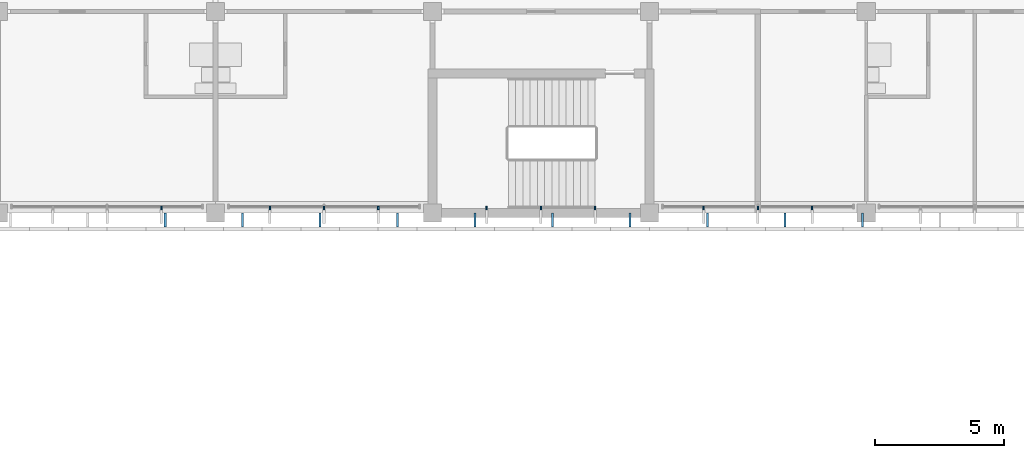
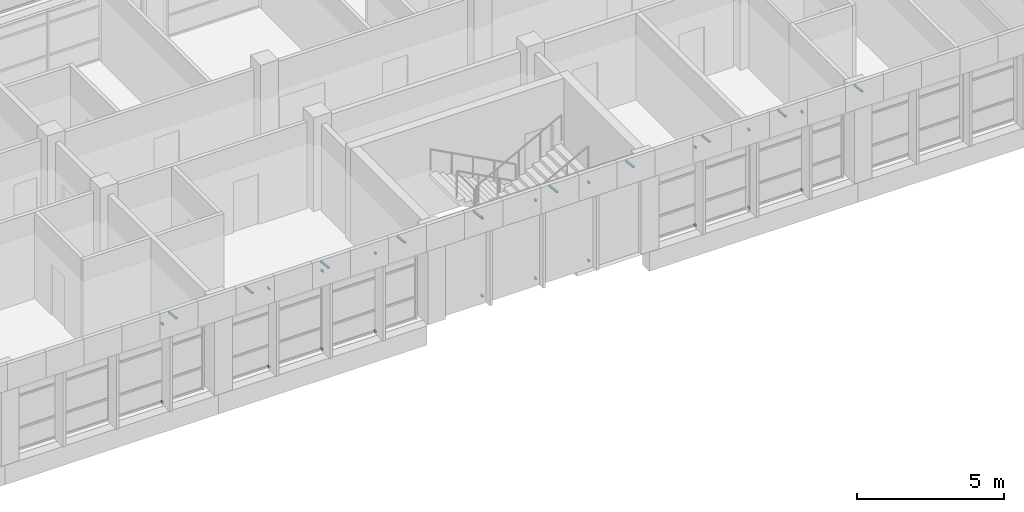
# One storey, part 55 of 74: 30 discrete accessories.
"""IFC4 building model written with IfcOpenShell, lengths in metres."""

from ifc_helpers import new_model, si_unit, direction, frame, origin, origin_2d, place, context, subcontext, project, spatial, rectangle, extrude, material, material_profile, profile_set, type_object, element, save


model = new_model("IFC4")

# Units and contexts
model_context = context("Model", 3, precision=1e-05, world=origin(), true_north=direction((0.0, 1.0)))
body_context = subcontext(model_context, "Body", "Model", "MODEL_VIEW")
ifc_project = project(units=[si_unit("LENGTHUNIT", "METRE"), si_unit("AREAUNIT", "SQUARE_METRE"), si_unit("VOLUMEUNIT", "CUBIC_METRE"), si_unit("PLANEANGLEUNIT", "RADIAN"), si_unit("MASSUNIT", "GRAM", prefix="KILO")], contexts=[model_context])

# Site, building, storey
site_placement = place(None, origin())
site = spatial("IfcSite", under=ifc_project, at=site_placement, CompositionType="ELEMENT")
building_placement = place(site_placement, origin())
building = spatial("IfcBuilding", under=site, at=building_placement, Name="Bougainvillea Quay General Hospital", CompositionType="ELEMENT")
storey_placement = place(building_placement, frame((0.0, 0.0, 21.0)))
storey = spatial("IfcBuildingStorey", under=building, at=storey_placement, Name="L04", CompositionType="ELEMENT", Elevation=21.0)

# Discrete accessories
ifc_material = material(Name="Stainless steel bracket, grade 316", Category="steel")
discrete_accessory_type_1 = type_object("IfcDiscreteAccessoryType", Name="Stainless steel fin arm 60x80", PredefinedType="BRACKET", material=ifc_material)
for number, where, z_axis, x_axis, name in (
    (1, (132.300048828125, 117.7900390625, 0.0), (0.0, 0.0, 1.0), (0.0, -1.0, 0.0), "Fin arm V5B L04 01.13B"),
    (2, (132.300048828125, 117.7900390625, 3.25), (0.0, 0.0, 1.0), (0.0, -1.0, 0.0), "Fin arm V5B L04 01.13T"),
    (3, (130.199951171875, 117.7900390625, 0.0), (0.0, 0.0, 1.0), (0.0, -1.0, 0.0), "Fin arm V5B L04 01.14B"),
    (4, (130.199951171875, 117.7900390625, 3.25), (0.0, 0.0, 1.0), (0.0, -1.0, 0.0), "Fin arm V5B L04 01.14T"),
    (5, (128.10009765625, 117.7900390625, 0.0), (0.0, 0.0, 1.0), (0.0, -1.0, 0.0), "Fin arm V5B L04 01.15B"),
    (6, (128.10009765625, 117.7900390625, 3.25), (0.0, 0.0, 1.0), (0.0, -1.0, 0.0), "Fin arm V5B L04 01.15T"),
    (7, (123.89990234375, 117.7900390625, 0.0), (0.0, 0.0, 1.0), (0.0, -1.0, 0.0), "Fin arm V5B L04 01.16B"),
    (8, (123.89990234375, 117.7900390625, 3.25), (0.0, 0.0, 1.0), (0.0, -1.0, 0.0), "Fin arm V5B L04 01.16T"),
    (9, (121.800048828125, 117.7900390625, 0.0), (0.0, 0.0, 1.0), (0.0, -1.0, 0.0), "Fin arm V5B L04 01.17B"),
    (10, (121.800048828125, 117.7900390625, 3.25), (0.0, 0.0, 1.0), (0.0, -1.0, 0.0), "Fin arm V5B L04 01.17T"),
    (11, (119.699951171875, 117.7900390625, 0.0), (0.0, 0.0, 1.0), (0.0, -1.0, 0.0), "Fin arm V5B L04 01.18B"),
    (12, (119.699951171875, 117.7900390625, 3.25), (0.0, 0.0, 1.0), (0.0, -1.0, 0.0), "Fin arm V5B L04 01.18T"),
    (13, (115.5, 117.7900390625, 0.0), (0.0, 0.0, 1.0), (0.0, -1.0, 0.0), "Fin arm V5B L04 01.19B"),
    (14, (115.5, 117.7900390625, 3.25), (0.0, 0.0, 1.0), (0.0, -1.0, 0.0), "Fin arm V5B L04 01.19T"),
    (15, (113.39990234375, 117.7900390625, 0.0), (0.0, 0.0, 1.0), (0.0, -1.0, 0.0), "Fin arm V5B L04 01.20B"),
    (16, (113.39990234375, 117.7900390625, 3.25), (0.0, 0.0, 1.0), (0.0, -1.0, 0.0), "Fin arm V5B L04 01.20T"),
    (17, (111.300048828125, 117.7900390625, 0.0), (0.0, 0.0, 1.0), (0.0, -1.0, 0.0), "Fin arm V5B L04 01.21B"),
    (18, (111.300048828125, 117.7900390625, 3.25), (0.0, 0.0, 1.0), (0.0, -1.0, 0.0), "Fin arm V5B L04 01.21T"),
    (19, (107.10009765625, 117.7900390625, 0.0), (0.0, 0.0, 1.0), (0.0, -1.0, 0.0), "Fin arm V5B L04 01.22B"),
    (20, (107.10009765625, 117.7900390625, 3.25), (0.0, 0.0, 1.0), (0.0, -1.0, 0.0), "Fin arm V5B L04 01.22T"),
):
    element("IfcDiscreteAccessory", number, at=place(storey_placement, frame(where, z_axis=z_axis, x_axis=x_axis)), inside=storey, type_object=discrete_accessory_type_1, Name=name, PredefinedType="BRACKET", context=body_context, shape_type="SweptSolid", body=[
        extrude(rectangle(XDim=0.1201171875, YDim=0.06005859375, at=origin_2d()), origin(), (0.0, 0.0, 1.0), 0.080078125),
    ])
ifc_material_profile = material_profile(ifc_material, rectangle(XDim=0.080078125, YDim=0.050048828125, at=origin_2d()))
ifc_profile_set = profile_set([ifc_material_profile], Name="Stainless steel bracket, grade 316")
discrete_accessory_type_2 = type_object("IfcDiscreteAccessoryType", Name="Stainless steel stand-off bracket 80x50", PredefinedType="BRACKET", material=ifc_profile_set)
for number, where, z_axis, x_axis, name in (
    (21, (107.25, 117.60009765625, 3.840087890625), (0.0, -0.994139309541, 0.108106582706), (1.0, 0.0, 0.0), "Fascia bracket e0 57"),
    (22, (110.25, 117.60009765625, 3.840087890625), (0.0, -0.994139309541, 0.108106582706), (1.0, 0.0, 0.0), "Fascia bracket e0 59"),
    (23, (113.25, 117.60009765625, 3.840087890625), (0.0, -0.994139309541, 0.108106582706), (1.0, 0.0, 0.0), "Fascia bracket e0 61"),
    (24, (116.25, 117.60009765625, 3.840087890625), (0.0, -0.994139309541, 0.108106582706), (1.0, 0.0, 0.0), "Fascia bracket e0 63"),
    (25, (119.25, 117.60009765625, 3.840087890625), (0.0, -0.994139309541, 0.108106582706), (1.0, 0.0, 0.0), "Fascia bracket e0 65"),
    (26, (122.25, 117.60009765625, 3.840087890625), (0.0, -0.994139309541, 0.108106582706), (1.0, 0.0, 0.0), "Fascia bracket e0 67"),
    (27, (125.25, 117.60009765625, 3.840087890625), (0.0, -0.994139309541, 0.108106582706), (1.0, 0.0, 0.0), "Fascia bracket e0 69"),
    (28, (128.25, 117.60009765625, 3.840087890625), (0.0, -0.994139309541, 0.108106582706), (1.0, 0.0, 0.0), "Fascia bracket e0 71"),
    (29, (131.25, 117.60009765625, 3.840087890625), (0.0, -0.994139309541, 0.108106582706), (1.0, 0.0, 0.0), "Fascia bracket e0 73"),
    (30, (134.25, 117.60009765625, 3.840087890625), (0.0, -0.994139309541, 0.108106582706), (1.0, 0.0, 0.0), "Fascia bracket e0 75"),
):
    element("IfcDiscreteAccessory", number, at=place(storey_placement, frame(where, z_axis=z_axis, x_axis=x_axis)), inside=storey, type_object=discrete_accessory_type_2, Name=name, PredefinedType="BRACKET", context=body_context, shape_type="SweptSolid", body=[
        extrude(rectangle(XDim=0.080078125, YDim=0.050048828125, at=origin_2d()), origin(), (0.0, 0.0, 1.0), 0.55322265625),
    ])

save(model, "model.ifc")
